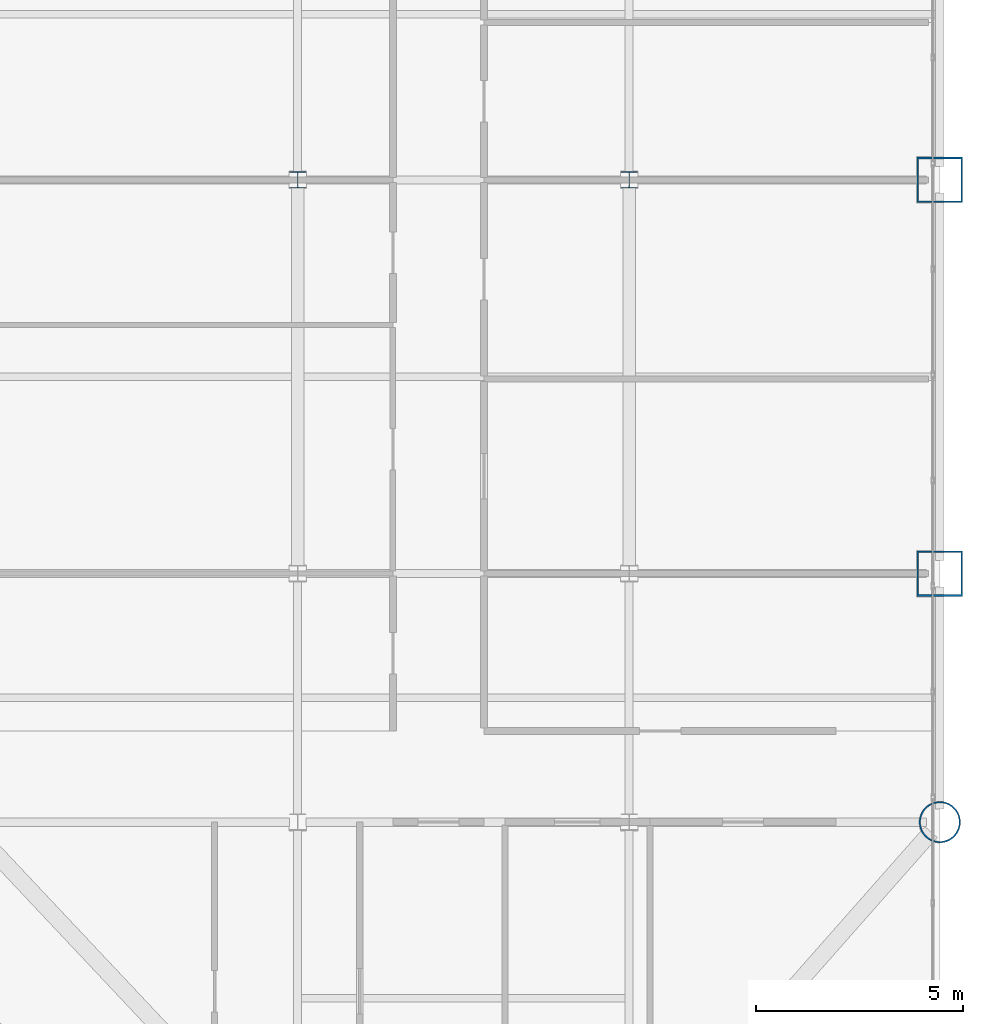
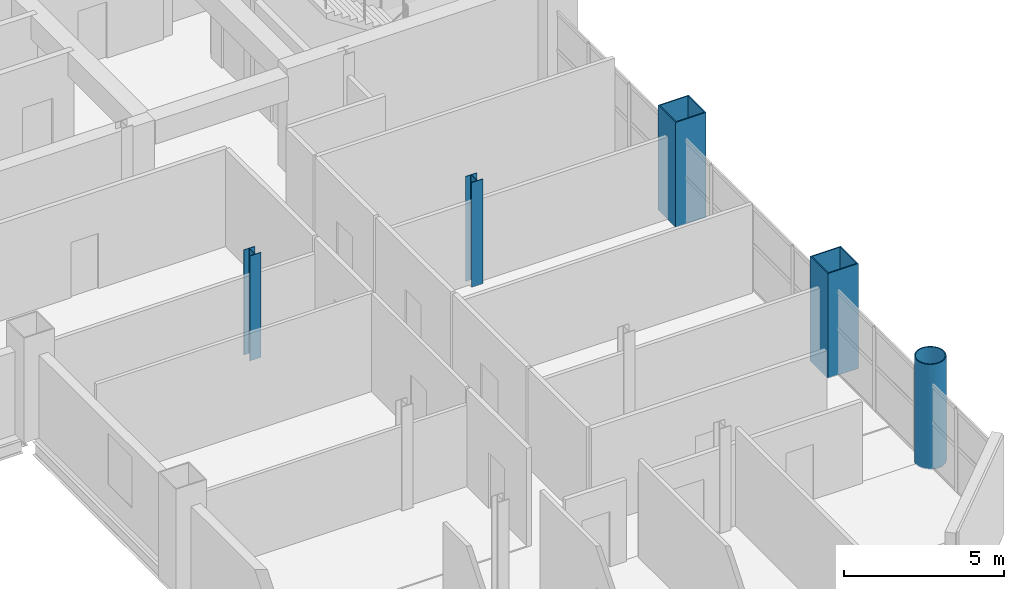
# One storey, part 2 of 16: 5 columns.
"""IFC4 building model written with IfcOpenShell, lengths in metres."""

import ifcopenshell
import ifcopenshell.guid

model = None  # the IFC model being written
_history = None  # IfcOwnerHistory: only IFC2X3 demands one
_inside = {}  # id of a spatial element -> (the spatial element, [elements in it])
_under = {}  # id of a project, library or spatial element -> (it, [spatial elements below it])
_declared = {}  # id of a project -> (the project, [libraries it declares])
_typed = {}  # id of a type object -> (the type object, [elements of that type])
_made_of = {}  # id of a material, layer set ... -> (it, [elements and type objects made of it])


def new_model(schema):
    """Start an empty IFC model of exactly this schema.

    Asked for "IFC4X3", IfcOpenShell would pick the latest addendum, in which some entities
    have other attributes; the version numbers below select the first issue.
    IFC2X3 requires an IfcOwnerHistory on every rooted entity: one is made here for all.
    """
    global model, _history
    if schema == "IFC4X3":
        model = ifcopenshell.file(schema_version=(4, 3, 0, 0))
    else:
        model = ifcopenshell.file(schema=schema)
    _inside.clear()
    _under.clear()
    _declared.clear()
    _typed.clear()
    _made_of.clear()
    _history = None
    if model.schema == "IFC2X3":
        org = make("IfcOrganization", Name="unknown")
        user = make(
            "IfcPersonAndOrganization",
            ThePerson=make("IfcPerson", FamilyName="unknown"),
            TheOrganization=org,
        )
        app = make(
            "IfcApplication",
            ApplicationDeveloper=org,
            Version="unknown",
            ApplicationFullName="unknown",
            ApplicationIdentifier="unknown",
        )
        _history = make(
            "IfcOwnerHistory",
            OwningUser=user,
            OwningApplication=app,
            ChangeAction="ADDED",
            CreationDate=0,
        )
    return model


def make(cls, **values):
    """One entity of the class cls with the attributes given. An attribute that is None is left unset."""
    return model.create_entity(
        cls, **{name: value for name, value in values.items() if value is not None}
    )


def rooted(cls, **values):
    """An entity with a GlobalId (a new one), such as an element, a storey or a relation."""
    return make(cls, GlobalId=ifcopenshell.guid.new(), OwnerHistory=_history, **values)


def si_unit(unit_type, name, prefix=None):
    """IfcSIUnit, for example si_unit("LENGTHUNIT", "METRE", prefix="MILLI")."""
    return make("IfcSIUnit", UnitType=unit_type, Prefix=prefix, Name=name)


def assignment(units):
    """IfcUnitAssignment: the units of a project."""
    return None if units is None else make("IfcUnitAssignment", Units=units)


def point(xyz):
    """IfcCartesianPoint."""
    return None if xyz is None else make("IfcCartesianPoint", Coordinates=xyz)


def direction(xyz):
    """IfcDirection."""
    return None if xyz is None else make("IfcDirection", DirectionRatios=xyz)


def frame(location, z_axis=None, x_axis=None):
    """IfcAxis2Placement3D, a coordinate frame: its origin and axes. An axis left out is left unset."""
    return make(
        "IfcAxis2Placement3D",
        Location=point(location),
        Axis=direction(z_axis),
        RefDirection=direction(x_axis),
    )


def frame_2d(location, x_axis=None):
    """IfcAxis2Placement2D, a coordinate frame in the plane: its origin and x axis."""
    return make(
        "IfcAxis2Placement2D", Location=point(location), RefDirection=direction(x_axis)
    )


def origin():
    """The frame at (0, 0, 0) with its axes left unset."""
    return frame((0.0, 0.0, 0.0))


def origin_2d():
    """The frame at (0, 0) in the plane with its x axis left unset."""
    return frame_2d((0.0, 0.0))


def place(relative_to, where):
    """IfcLocalPlacement: puts the frame where relative to a parent placement (None: the world)."""
    return make(
        "IfcLocalPlacement", PlacementRelTo=relative_to, RelativePlacement=where
    )


def context(
    kind, dimensions, precision=None, world=None, true_north=None, identifier=None
):
    """IfcGeometricRepresentationContext, for example the 3D "Model" context."""
    return make(
        "IfcGeometricRepresentationContext",
        ContextIdentifier=identifier,
        ContextType=kind,
        CoordinateSpaceDimension=dimensions,
        Precision=precision,
        WorldCoordinateSystem=world,
        TrueNorth=true_north,
    )


def subcontext(parent, identifier, kind, view, scale=None):
    """IfcGeometricRepresentationSubContext, for example "Body" below "Model"."""
    return make(
        "IfcGeometricRepresentationSubContext",
        ContextIdentifier=identifier,
        ContextType=kind,
        ParentContext=parent,
        TargetScale=scale,
        TargetView=view,
    )


def project(units=None, contexts=None):
    """IfcProject with its units and contexts."""
    return rooted(
        "IfcProject",
        Name="project",
        RepresentationContexts=contexts,
        UnitsInContext=assignment(units),
    )


def spatial(cls, under=None, at=None, **own):
    """A site, building, storey or space (cls), placed at a placement, below another one or the project."""
    s = rooted(cls, ObjectPlacement=at, **own)
    if under is not None:
        _under.setdefault(under.id(), (under, []))[1].append(s)
    return s


def profile(cls, at=None, kind="AREA", **sizes):
    """A parametric profile (cls). Its sizes go by their IFC names, for example OverallWidth=200.0."""
    return make(cls, ProfileType=kind, Position=at, **sizes)


def hollow_rectangle(**sizes):
    """IfcRectangleHollowProfileDef."""
    return profile("IfcRectangleHollowProfileDef", **sizes)


def hollow_circle(**sizes):
    """IfcCircleHollowProfileDef."""
    return profile("IfcCircleHollowProfileDef", **sizes)


def i_section(**sizes):
    """IfcIShapeProfileDef."""
    return profile("IfcIShapeProfileDef", **sizes)


def extrude(swept, where, along, depth):
    """IfcExtrudedAreaSolid: the profile swept, set in the frame where, extruded along a direction by depth."""
    return make(
        "IfcExtrudedAreaSolid",
        SweptArea=swept,
        Position=where,
        ExtrudedDirection=direction(along),
        Depth=depth,
    )


def shape(context_of_items, identifier, shape_type, items):
    """IfcShapeRepresentation: the items that make up one representation, for example the "Body"."""
    return make(
        "IfcShapeRepresentation",
        ContextOfItems=context_of_items,
        RepresentationIdentifier=identifier,
        RepresentationType=shape_type,
        Items=items,
    )


def material(Name=None, Category=None):
    """IfcMaterial."""
    return make("IfcMaterial", Name=Name, Category=Category)


def material_profile(
    of_material, cross_section, Name=None, Category=None, Priority=None
):
    """IfcMaterialProfile: a cross section and its material."""
    return make(
        "IfcMaterialProfile",
        Name=Name,
        Material=of_material,
        Profile=cross_section,
        Priority=Priority,
        Category=Category,
    )


def profile_set(profiles, Name=None, composite=None):
    """IfcMaterialProfileSet."""
    return make(
        "IfcMaterialProfileSet",
        Name=Name,
        MaterialProfiles=profiles,
        CompositeProfile=composite,
    )


def made_of(thing, what):
    """Note that an element or type object is made of a material, layer set ...; save() writes the relation."""
    if what is not None:
        _made_of.setdefault(what.id(), (what, []))[1].append(thing)
    return thing


def type_object(cls, material=None, **own):
    """A type object (cls), such as IfcWallType, which elements share."""
    return made_of(rooted(cls, **own), material)


def element(
    cls,
    number,
    at=None,
    inside=None,
    cuts=None,
    type_object=None,
    material=None,
    context=None,
    identifier="Body",
    shape_type=None,
    held_by="IfcProductDefinitionShape",
    body=None,
    shapes=None,
    **own,
):
    """One element of the class cls, such as IfcWall. Its Tag is "e" and its number.

    at: its placement. inside: the storey or other place that contains it. cuts: it is an
    opening in that element (IfcRelVoidsElement). A single representation is given by context,
    identifier, shape_type and body (its items); several are given by shapes. held_by: the class
    of the entity that holds the representations. save() writes the other relations.
    """
    e = rooted(cls, Tag="e%d" % number, ObjectPlacement=at, **own)
    if body is not None:
        shapes = [shape(context, identifier, shape_type, body)]
    if shapes is not None:
        e.Representation = make(held_by, Representations=shapes)
    if inside is not None:
        _inside.setdefault(inside.id(), (inside, []))[1].append(e)
    if cuts is not None:
        rooted(
            "IfcRelVoidsElement", RelatingBuildingElement=cuts, RelatedOpeningElement=e
        )
    if type_object is not None:
        _typed.setdefault(type_object.id(), (type_object, []))[1].append(e)
    return made_of(e, material)


def aggregate(whole, parts):
    """IfcRelAggregates: a whole, such as a stair, and the parts it consists of."""
    return rooted("IfcRelAggregates", RelatingObject=whole, RelatedObjects=parts)


def save(model, path):
    """Write the relations noted so far, then the file.

    IfcRelAggregates (storeys below a building ...), IfcRelContainedInSpatialStructure (elements
    in a storey), IfcRelDefinesByType, IfcRelAssociatesMaterial and IfcRelDeclares: one each for
    every whole, place, type object, material and project.
    """
    for whole, parts in _under.values():
        aggregate(whole, parts)
    for where, things in _inside.values():
        rooted(
            "IfcRelContainedInSpatialStructure",
            RelatedElements=things,
            RelatingStructure=where,
        )
    for kind, things in _typed.values():
        rooted("IfcRelDefinesByType", RelatedObjects=things, RelatingType=kind)
    for what, things in _made_of.values():
        rooted("IfcRelAssociatesMaterial", RelatedObjects=things, RelatingMaterial=what)
    for by, libraries in _declared.values():
        rooted("IfcRelDeclares", RelatingContext=by, RelatedDefinitions=libraries)
    model.write(path)


model = new_model("IFC4")

# Units and contexts
model_context = context("Model", 3, precision=1e-05, world=origin(), true_north=direction((0.0, 1.0)))
body_context = subcontext(model_context, "Body", "Model", "MODEL_VIEW")
ifc_project = project(units=[si_unit("LENGTHUNIT", "METRE"), si_unit("AREAUNIT", "SQUARE_METRE"), si_unit("VOLUMEUNIT", "CUBIC_METRE"), si_unit("PLANEANGLEUNIT", "RADIAN"), si_unit("MASSUNIT", "GRAM", prefix="KILO")], contexts=[model_context])

# Site, building, storey
site_placement = place(None, origin())
site = spatial("IfcSite", under=ifc_project, at=site_placement, CompositionType="ELEMENT")
building_placement = place(site_placement, origin())
building = spatial("IfcBuilding", under=site, at=building_placement, Name="Qianrong Seaharbour Tower", CompositionType="ELEMENT")
storey_placement = place(building_placement, frame((0.0, 0.0, 127.0)))
storey = spatial("IfcBuildingStorey", under=building, at=storey_placement, Name="L30", CompositionType="ELEMENT", Elevation=127.0)

# Columns
ifc_material = material(Name="Structural steel SN490B", Category="steel")
ifc_material_profile_1 = material_profile(ifc_material, hollow_rectangle(XDim=1.10009765625, YDim=1.10009765625, WallThickness=0.0400390625, at=origin_2d()), Name="BOX1100x1100x40")
ifc_profile_set_1 = profile_set([ifc_material_profile_1], Name="Structural steel SN490B")
column_type_1 = type_object("IfcColumnType", Name="COL-CFT-1100", PredefinedType="COLUMN", material=ifc_profile_set_1)
for number, where, z_axis, x_axis, name in (
    (1, (64.0, 18.5, 0.0), (0.0, 0.0, 1.0), (1.0, 0.0, 0.0), "L30 Column MC-3 at G9/GD"),
    (2, (64.0, 28.0, 0.0), (0.0, 0.0, 1.0), (1.0, 0.0, 0.0), "L30 Column MC-3 at G9/GE"),
):
    element("IfcColumn", number, at=place(storey_placement, frame(where, z_axis=z_axis, x_axis=x_axis)), inside=storey, type_object=column_type_1, Name=name, PredefinedType="COLUMN", context=body_context, shape_type="SweptSolid", body=[
        extrude(hollow_rectangle(XDim=1.10009765625, YDim=1.10009765625, WallThickness=0.0400390625, at=origin_2d()), origin(), (0.0, 0.0, 1.0), 4.0),
    ])
ifc_material_profile_2 = material_profile(ifc_material, hollow_circle(Radius=0.5, WallThickness=0.035888671875, at=origin_2d()), Name="CHS1000x36")
ifc_profile_set_2 = profile_set([ifc_material_profile_2], Name="Structural steel SN490B")
column_type_2 = type_object("IfcColumnType", Name="COL-CHS-1000", PredefinedType="COLUMN", material=ifc_profile_set_2)
column_placement = place(storey_placement, frame((64.0, 12.5, 0.0), z_axis=(0.0, 0.0, 1.0), x_axis=(1.0, 0.0, 0.0)))
element("IfcColumn", 3, at=column_placement, inside=storey, type_object=column_type_2, Name="L30 Column CC-2 at G9/GC", PredefinedType="COLUMN", context=body_context, shape_type="SweptSolid", body=[
    extrude(hollow_circle(Radius=0.5, WallThickness=0.035888671875, at=origin_2d()), origin(), (0.0, 0.0, 1.0), 4.0),
])
ifc_material_profile_3 = material_profile(ifc_material, i_section(OverallWidth=0.39990234375, OverallDepth=0.39990234375, WebThickness=0.012939453125, FlangeThickness=0.02099609375, FilletRadius=0.02197265625, at=origin_2d()), Name="H400x400x13x21")
ifc_profile_set_3 = profile_set([ifc_material_profile_3], Name="Structural steel SN490B")
column_type_3 = type_object("IfcColumnType", Name="COL-INT-H400", PredefinedType="COLUMN", material=ifc_profile_set_3)
for number, where, z_axis, x_axis, name in (
    (4, (48.5, 28.0, 0.0), (0.0, 0.0, 1.0), (1.0, 0.0, 0.0), "L30 Column IC-3 at G7/GE"),
    (5, (56.5, 28.0, 0.0), (0.0, 0.0, 1.0), (1.0, 0.0, 0.0), "L30 Column IC-3 at G8/GE"),
):
    element("IfcColumn", number, at=place(storey_placement, frame(where, z_axis=z_axis, x_axis=x_axis)), inside=storey, type_object=column_type_3, Name=name, PredefinedType="COLUMN", context=body_context, shape_type="SweptSolid", body=[
        extrude(i_section(OverallWidth=0.39990234375, OverallDepth=0.39990234375, WebThickness=0.012939453125, FlangeThickness=0.02099609375, FilletRadius=0.02197265625, at=origin_2d()), origin(), (0.0, 0.0, 1.0), 4.0),
    ])

save(model, "model.ifc")
